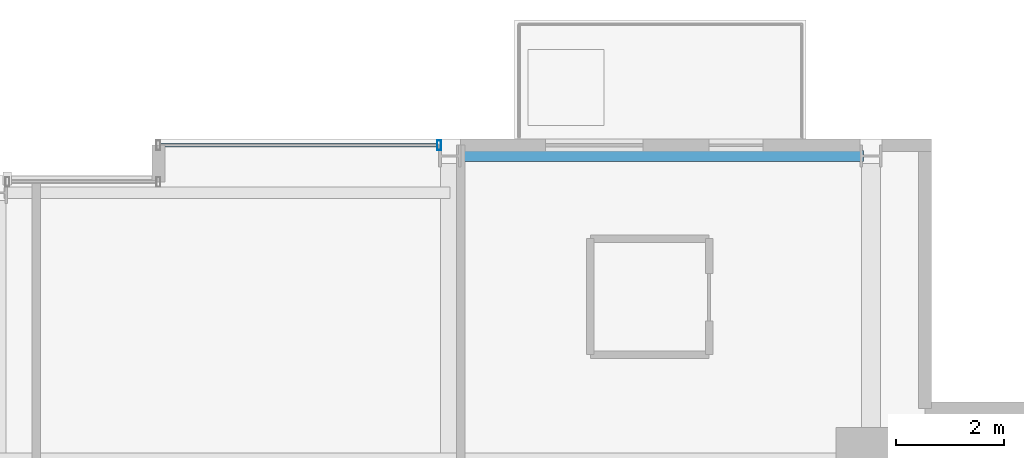
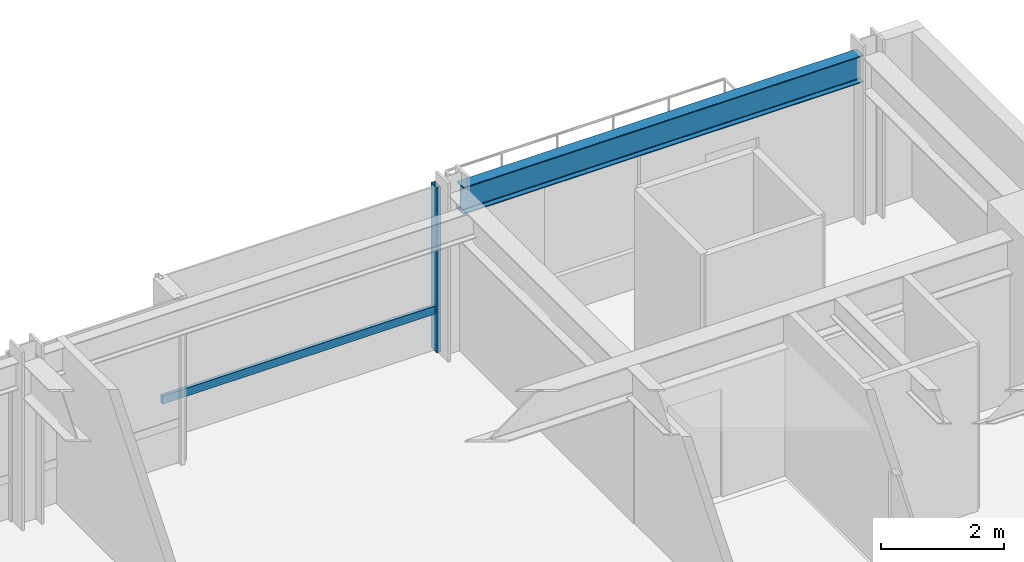
# One storey, part 25 of 34: 2 members, 1 beam, 1 element without a shape of its own.
"""IFC4 building model written with IfcOpenShell, lengths in metres."""

from ifc_helpers import new_model, si_unit, direction, frame, origin, origin_2d, place, context, subcontext, project, spatial, hollow_rectangle, i_section, extrude, material, layer, layer_set, material_profile, profile_set, type_object, element, aggregate, save


model = new_model("IFC4")

# Units and contexts
model_context = context("Model", 3, precision=1e-05, world=origin(), true_north=direction((0.0, 1.0)))
body_context = subcontext(model_context, "Body", "Model", "MODEL_VIEW")
ifc_project = project(units=[si_unit("LENGTHUNIT", "METRE"), si_unit("AREAUNIT", "SQUARE_METRE"), si_unit("VOLUMEUNIT", "CUBIC_METRE"), si_unit("PLANEANGLEUNIT", "RADIAN"), si_unit("MASSUNIT", "GRAM", prefix="KILO")], contexts=[model_context])

# Site, building, storey
site_placement = place(None, origin())
site = spatial("IfcSite", under=ifc_project, at=site_placement, CompositionType="ELEMENT")
building_placement = place(site_placement, origin())
building = spatial("IfcBuilding", under=site, at=building_placement, Name="Drelvath Grand Hotel", CompositionType="ELEMENT")
storey_placement = place(building_placement, frame((0.0, 0.0, 175.25)))
storey = spatial("IfcBuildingStorey", under=building, at=storey_placement, Name="L45", CompositionType="ELEMENT", Elevation=175.25)

# Curtain wall, members
ifc_material_1 = material(Name="Brushed Pale-Silver Anodised Aluminium Frame", Category="aluminium")
ifc_layer = layer(ifc_material_1, 0.199951171875)
ifc_layer_set = layer_set([ifc_layer], Name="Brushed Pale-Silver Anodised Aluminium Frame")
curtain_wall_type = type_object("IfcCurtainWallType", Name="Stick Curtain Wall CW-04 Brushed Silver Upper-Mid", PredefinedType="NOTDEFINED", material=ifc_layer_set)
curtain_wall_placement = place(storey_placement, origin())
curtain_wall = element("IfcCurtainWall", 1, at=curtain_wall_placement, inside=storey, type_object=curtain_wall_type, Name="L45 CW-04 Curtain Wall CW04-L45-NE1", PredefinedType="NOTDEFINED")
ifc_material_profile_1 = material_profile(ifc_material_1, hollow_rectangle(XDim=0.06494140625, YDim=0.159912109375, WallThickness=0.00390625, at=origin_2d()), Name="HSS160X65X4")
ifc_profile_set_1 = profile_set([ifc_material_profile_1], Name="Brushed Pale-Silver Anodised Aluminium Frame")
member_type_1 = type_object("IfcMemberType", Name="Curtain Wall Horizontal Transom CW-04 HSS160X65X4", PredefinedType="USERDEFINED", material=ifc_profile_set_1)
member_1_placement = place(storey_placement, frame((3.0400390625, 49.080078125, 0.822509765625), z_axis=(1.0, 0.0, 0.0), x_axis=(0.0, 1.0, 0.0)))
member_1 = element("IfcMember", 2, at=member_1_placement, type_object=member_type_1, Name="CW04-L45-NE1 Sill Transom", ObjectType="TRANSOM", PredefinedType="USERDEFINED", context=body_context, shape_type="SweptSolid", body=[
    extrude(hollow_rectangle(XDim=0.06494140625, YDim=0.159912109375, WallThickness=0.00390625, at=origin_2d()), origin(), (0.0, 0.0, 1.0), 5.119873046875),
])
ifc_material_profile_2 = material_profile(ifc_material_1, hollow_rectangle(XDim=0.074951171875, YDim=0.179931640625, WallThickness=0.0048828125, at=origin_2d()), Name="HSS180X75X5")
ifc_profile_set_2 = profile_set([ifc_material_profile_2], Name="Brushed Pale-Silver Anodised Aluminium Frame")
member_type_2 = type_object("IfcMemberType", Name="Curtain Wall Vertical Mullion CW-04 HSS180X75X5", PredefinedType="MULLION", material=ifc_profile_set_2)
member_2_placement = place(storey_placement, frame((8.199951171875, 49.080078125, 0.0), z_axis=(0.0, 0.0, 1.0), x_axis=(1.0, 0.0, 0.0)))
member_2 = element("IfcMember", 3, at=member_2_placement, type_object=member_type_2, Name="CW04-L45-NE1 Mullion 2", PredefinedType="MULLION", context=body_context, shape_type="SweptSolid", body=[
    extrude(hollow_rectangle(XDim=0.074951171875, YDim=0.179931640625, WallThickness=0.0048828125, at=origin_2d()), origin(), (0.0, 0.0, 1.0), 3.2900390625),
])
aggregate(curtain_wall, [member_2, member_1])

# Beam
ifc_material_2 = material(Name="Steel ASTM A992 Gr 50", Category="steel")
ifc_material_profile_3 = material_profile(ifc_material_2, i_section(OverallWidth=0.210205078125, OverallDepth=0.53662109375, WebThickness=0.010986328125, FlangeThickness=0.017333984375, FilletRadius=0.01806640625, at=origin_2d()), Name="W21X68")
ifc_profile_set_3 = profile_set([ifc_material_profile_3], Name="Steel ASTM A992 Gr 50")
beam_type = type_object("IfcBeamType", Name="Perimeter Spandrel Beam W21X68", PredefinedType="SPANDREL", material=ifc_profile_set_3)
beam_placement = place(storey_placement, frame((8.5400390625, 48.8798828125, 3.021484375), z_axis=(1.0, 0.0, 0.0), x_axis=(0.0, 1.0, 0.0)))
element("IfcBeam", 4, at=beam_placement, inside=storey, type_object=beam_type, Name="L45 Spandrel North E", PredefinedType="SPANDREL", context=body_context, shape_type="SweptSolid", body=[
    extrude(i_section(OverallWidth=0.210205078125, OverallDepth=0.53662109375, WebThickness=0.010986328125, FlangeThickness=0.017333984375, FilletRadius=0.01806640625, at=origin_2d()), origin(), (0.0, 0.0, 1.0), 7.52001953125),
])

save(model, "model.ifc")
